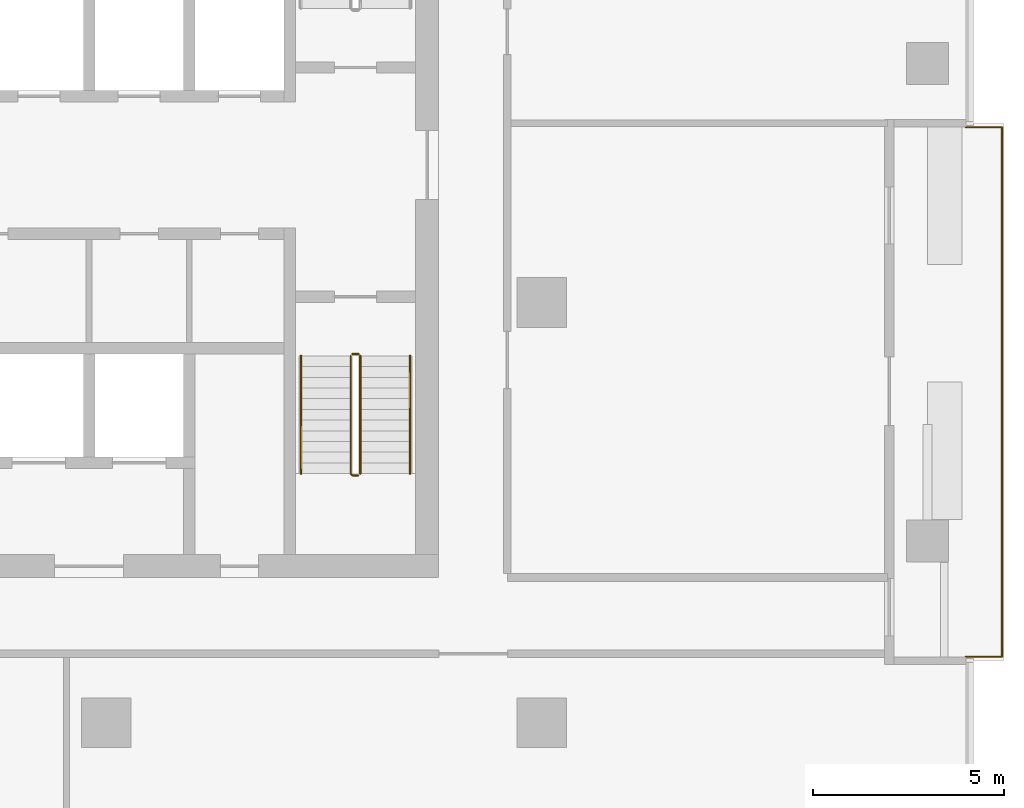
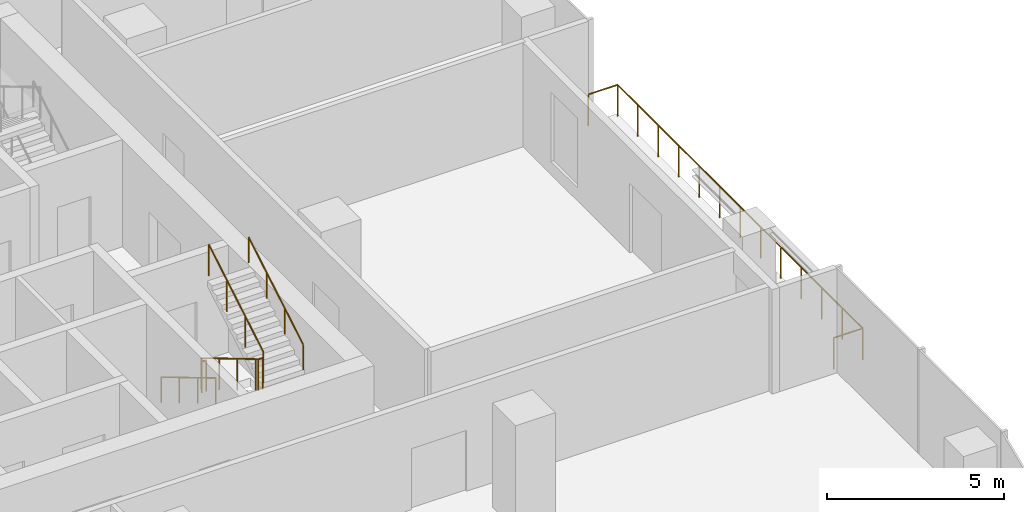
# One storey, part 12 of 14: 6 railings.
"""IFC4 building model written with IfcOpenShell, lengths in metres."""

from ifc_helpers import new_model, si_unit, direction, frame, origin, origin_2d, place, context, subcontext, project, spatial, circle, extrude, material, type_object, element, save


model = new_model("IFC4")

# Units and contexts
model_context = context("Model", 3, precision=1e-05, world=origin(), true_north=direction((0.0, 1.0)))
body_context = subcontext(model_context, "Body", "Model", "MODEL_VIEW")
ifc_project = project(units=[si_unit("LENGTHUNIT", "METRE"), si_unit("AREAUNIT", "SQUARE_METRE"), si_unit("VOLUMEUNIT", "CUBIC_METRE"), si_unit("PLANEANGLEUNIT", "RADIAN"), si_unit("MASSUNIT", "GRAM", prefix="KILO")], contexts=[model_context])

# Site, building, storey
site_placement = place(None, origin())
site = spatial("IfcSite", under=ifc_project, at=site_placement, CompositionType="ELEMENT")
building_placement = place(site_placement, origin())
building = spatial("IfcBuilding", under=site, at=building_placement, Name="Mopane Tessera Tower", CompositionType="ELEMENT")
storey_placement = place(building_placement, frame((0.0, 0.0, 215.0)))
storey = spatial("IfcBuildingStorey", under=building, at=storey_placement, Name="L45", CompositionType="ELEMENT", Elevation=215.0)

# Railings
ifc_material_1 = material(Name="Powder-coated steel balustrade", Category="steel")
railing_type_1 = type_object("IfcRailingType", Name="Escape stair guard 1100 mm", PredefinedType="GUARDRAIL", material=ifc_material_1)
railing_1_placement = place(storey_placement, frame((12.10009765625, -1.39990234375, 0.166748046875)))
element("IfcRailing", 1, at=railing_1_placement, inside=storey, type_object=railing_type_1, Name="L45 ST3 stair guard 1", PredefinedType="GUARDRAIL", context=body_context, shape_type="SweptSolid", body=[
    extrude(circle(Radius=0.02392578125, at=origin_2d()), frame((0.0, 0.0, 1.076171875), z_axis=(0.0, -0.859308565015, 0.511457515432), x_axis=(1.0, 0.0, 0.0)), (0.0, 0.0, 1.0), 3.58447265625),
    extrude(circle(Radius=0.02392578125, at=origin_2d()), frame((0.0, -3.080078125, 2.9091796875), z_axis=(0.705375805398, -0.708833529934, 0.0), x_axis=(0.708833529934, 0.705375805398, 0.0)), (0.0, 0.0, 1.0), 0.070556640625),
    extrude(circle(Radius=0.02392578125, at=origin_2d()), frame((0.0498046875, -3.130126953125, 2.9091796875), z_axis=(1.0, 0.0, 0.0), x_axis=(0.0, 1.0, 0.0)), (0.0, 0.0, 1.0), 0.150146484375),
    extrude(circle(Radius=0.02099609375, at=origin_2d()), origin(), (0.0, 0.0, 1.0), 1.052001953125),
    extrude(circle(Radius=0.02099609375, at=origin_2d()), frame((0.0, -1.026611328125, 0.611083984375)), (0.0, 0.0, 1.0), 1.052001953125),
    extrude(circle(Radius=0.02099609375, at=origin_2d()), frame((0.0, -2.053466796875, 1.22216796875)), (0.0, 0.0, 1.0), 1.052001953125),
    extrude(circle(Radius=0.02099609375, at=origin_2d()), frame((0.0, -3.080078125, 1.833251953125)), (0.0, 0.0, 1.0), 1.052001953125),
    extrude(circle(Radius=0.02099609375, at=origin_2d()), frame((0.0498046875, -3.130126953125, 1.833251953125)), (0.0, 0.0, 1.0), 1.052001953125),
    extrude(circle(Radius=0.02099609375, at=origin_2d()), frame((0.199951171875, -3.130126953125, 1.833251953125)), (0.0, 0.0, 1.0), 1.052001953125),
])
railing_2_placement = place(storey_placement, frame((12.35009765625, -4.47998046875, 2.166748046875)))
element("IfcRailing", 2, at=railing_2_placement, inside=storey, type_object=railing_type_1, Name="L45 ST3 stair guard 2", PredefinedType="GUARDRAIL", context=body_context, shape_type="SweptSolid", body=[
    extrude(circle(Radius=0.02392578125, at=origin_2d()), frame((0.0, 0.0, 1.076171875), z_axis=(0.0, 0.859308565015, 0.511457515432), x_axis=(-1.0, 0.0, 0.0)), (0.0, 0.0, 1.0), 3.58447265625),
    extrude(circle(Radius=0.02099609375, at=origin_2d()), origin(), (0.0, 0.0, 1.0), 1.052001953125),
    extrude(circle(Radius=0.02099609375, at=origin_2d()), frame((0.0, 1.026611328125, 0.611083984375)), (0.0, 0.0, 1.0), 1.052001953125),
    extrude(circle(Radius=0.02099609375, at=origin_2d()), frame((0.0, 2.053466796875, 1.22216796875)), (0.0, 0.0, 1.0), 1.052001953125),
    extrude(circle(Radius=0.02099609375, at=origin_2d()), frame((0.0, 3.080078125, 1.833251953125)), (0.0, 0.0, 1.0), 1.052001953125),
])
railing_3_placement = place(storey_placement, frame((12.14990234375, -1.35009765625, 0.0)))
element("IfcRailing", 3, at=railing_3_placement, inside=storey, type_object=railing_type_1, Name="L45 ST3 stair guard 3", PredefinedType="GUARDRAIL", context=body_context, shape_type="SweptSolid", body=[
    extrude(circle(Radius=0.02392578125, at=origin_2d()), frame((0.0, 0.0, 1.076171875), z_axis=(1.0, 0.0, 0.0), x_axis=(0.0, 1.0, 0.0)), (0.0, 0.0, 1.0), 0.150146484375),
    extrude(circle(Radius=0.02099609375, at=origin_2d()), origin(), (0.0, 0.0, 1.0), 1.052001953125),
    extrude(circle(Radius=0.02099609375, at=origin_2d()), frame((0.150146484375, 0.0, 0.0)), (0.0, 0.0, 1.0), 1.052001953125),
])
ifc_material_2 = material(Name="Powder-coated steel balustrade", Category="steel")
railing_type_2 = type_object("IfcRailingType", Name="Escape stair handrail 900 mm", PredefinedType="HANDRAIL", material=ifc_material_2)
railing_4_placement = place(storey_placement, frame((10.800048828125, -1.39990234375, 0.166748046875)))
element("IfcRailing", 4, at=railing_4_placement, inside=storey, type_object=railing_type_2, Name="L45 ST3 stair handrail 1", PredefinedType="HANDRAIL", context=body_context, shape_type="SweptSolid", body=[
    extrude(circle(Radius=0.02392578125, at=origin_2d()), frame((0.0, 0.0, 0.8759765625), z_axis=(0.0, -0.859308565015, 0.511457515432), x_axis=(1.0, 0.0, 0.0)), (0.0, 0.0, 1.0), 3.58447265625),
    extrude(circle(Radius=0.02099609375, at=origin_2d()), origin(), (0.0, 0.0, 1.0), 0.851806640625),
    extrude(circle(Radius=0.02099609375, at=origin_2d()), frame((0.0, -1.026611328125, 0.611083984375)), (0.0, 0.0, 1.0), 0.851806640625),
    extrude(circle(Radius=0.02099609375, at=origin_2d()), frame((0.0, -2.053466796875, 1.22216796875)), (0.0, 0.0, 1.0), 0.851806640625),
    extrude(circle(Radius=0.02099609375, at=origin_2d()), frame((0.0, -3.080078125, 1.833251953125)), (0.0, 0.0, 1.0), 0.851806640625),
])
railing_5_placement = place(storey_placement, frame((13.64990234375, -4.47998046875, 2.166748046875)))
element("IfcRailing", 5, at=railing_5_placement, inside=storey, type_object=railing_type_2, Name="L45 ST3 stair handrail 2", PredefinedType="HANDRAIL", context=body_context, shape_type="SweptSolid", body=[
    extrude(circle(Radius=0.02392578125, at=origin_2d()), frame((0.0, 0.0, 0.8759765625), z_axis=(0.0, 0.859308565015, 0.511457515432), x_axis=(-1.0, 0.0, 0.0)), (0.0, 0.0, 1.0), 3.58447265625),
    extrude(circle(Radius=0.02099609375, at=origin_2d()), origin(), (0.0, 0.0, 1.0), 0.851806640625),
    extrude(circle(Radius=0.02099609375, at=origin_2d()), frame((0.0, 1.026611328125, 0.611083984375)), (0.0, 0.0, 1.0), 0.851806640625),
    extrude(circle(Radius=0.02099609375, at=origin_2d()), frame((0.0, 2.053466796875, 1.22216796875)), (0.0, 0.0, 1.0), 0.851806640625),
    extrude(circle(Radius=0.02099609375, at=origin_2d()), frame((0.0, 3.080078125, 1.833251953125)), (0.0, 0.0, 1.0), 0.851806640625),
])
ifc_material_3 = material(Name="Stainless steel S316", Category="steel")
railing_type_3 = type_object("IfcRailingType", Name="Terrace guard 1100", PredefinedType="GUARDRAIL", material=ifc_material_3)
railing_6_placement = place(storey_placement, frame((28.199951171875, -9.27490234375, 0.0)))
element("IfcRailing", 6, at=railing_6_placement, inside=storey, type_object=railing_type_3, Name="e:nw:L45:N2:guard", PredefinedType="GUARDRAIL", context=body_context, shape_type="SweptSolid", body=[
    extrude(circle(Radius=0.02392578125, at=origin_2d()), frame((0.0, 0.0, 1.076171875), z_axis=(1.0, 0.0, 0.0), x_axis=(0.0, 1.0, 0.0)), (0.0, 0.0, 1.0), 0.949951171875),
    extrude(circle(Radius=0.02392578125, at=origin_2d()), frame((0.949951171875, 0.0, 1.076171875), z_axis=(0.0, 1.0, 0.0), x_axis=(-1.0, 0.0, 0.0)), (0.0, 0.0, 1.0), 13.8623046875),
    extrude(circle(Radius=0.02392578125, at=origin_2d()), frame((0.949951171875, 13.8623046875, 1.076171875), z_axis=(-1.0, 0.0, 0.0), x_axis=(0.0, -1.0, 0.0)), (0.0, 0.0, 1.0), 0.949951171875),
    extrude(circle(Radius=0.02099609375, at=origin_2d()), origin(), (0.0, 0.0, 1.0), 1.052001953125),
    extrude(circle(Radius=0.02099609375, at=origin_2d()), frame((0.949951171875, 0.0, 0.0)), (0.0, 0.0, 1.0), 1.052001953125),
    extrude(circle(Radius=0.02099609375, at=origin_2d()), frame((0.949951171875, 1.1552734375, 0.0)), (0.0, 0.0, 1.0), 1.052001953125),
    extrude(circle(Radius=0.02099609375, at=origin_2d()), frame((0.949951171875, 2.310302734375, 0.0)), (0.0, 0.0, 1.0), 1.052001953125),
    extrude(circle(Radius=0.02099609375, at=origin_2d()), frame((0.949951171875, 3.465576171875, 0.0)), (0.0, 0.0, 1.0), 1.052001953125),
    extrude(circle(Radius=0.02099609375, at=origin_2d()), frame((0.949951171875, 4.620849609375, 0.0)), (0.0, 0.0, 1.0), 1.052001953125),
    extrude(circle(Radius=0.02099609375, at=origin_2d()), frame((0.949951171875, 5.77587890625, 0.0)), (0.0, 0.0, 1.0), 1.052001953125),
    extrude(circle(Radius=0.02099609375, at=origin_2d()), frame((0.949951171875, 6.93115234375, 0.0)), (0.0, 0.0, 1.0), 1.052001953125),
    extrude(circle(Radius=0.02099609375, at=origin_2d()), frame((0.949951171875, 8.08642578125, 0.0)), (0.0, 0.0, 1.0), 1.052001953125),
    extrude(circle(Radius=0.02099609375, at=origin_2d()), frame((0.949951171875, 9.241455078125, 0.0)), (0.0, 0.0, 1.0), 1.052001953125),
    extrude(circle(Radius=0.02099609375, at=origin_2d()), frame((0.949951171875, 10.396728515625, 0.0)), (0.0, 0.0, 1.0), 1.052001953125),
    extrude(circle(Radius=0.02099609375, at=origin_2d()), frame((0.949951171875, 11.552001953125, 0.0)), (0.0, 0.0, 1.0), 1.052001953125),
    extrude(circle(Radius=0.02099609375, at=origin_2d()), frame((0.949951171875, 12.70703125, 0.0)), (0.0, 0.0, 1.0), 1.052001953125),
    extrude(circle(Radius=0.02099609375, at=origin_2d()), frame((0.949951171875, 13.8623046875, 0.0)), (0.0, 0.0, 1.0), 1.052001953125),
    extrude(circle(Radius=0.02099609375, at=origin_2d()), frame((0.0, 13.8623046875, 0.0)), (0.0, 0.0, 1.0), 1.052001953125),
])

save(model, "model.ifc")
